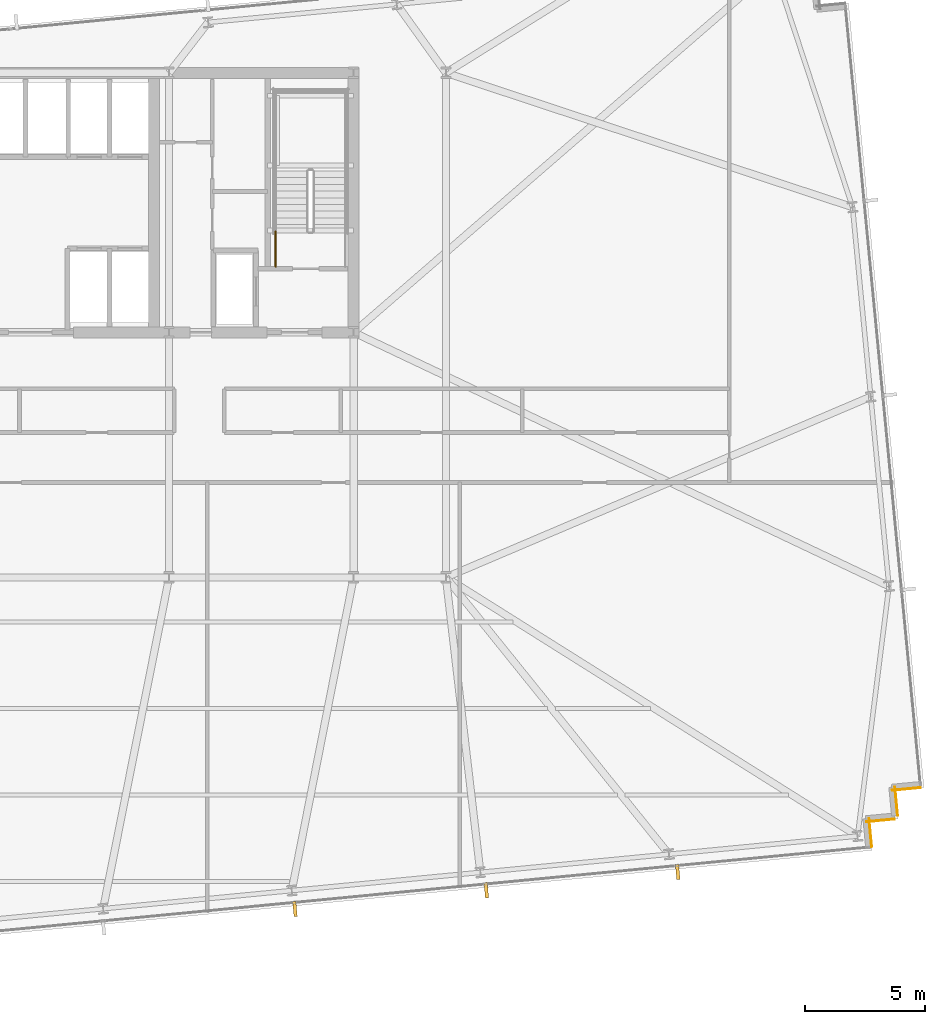
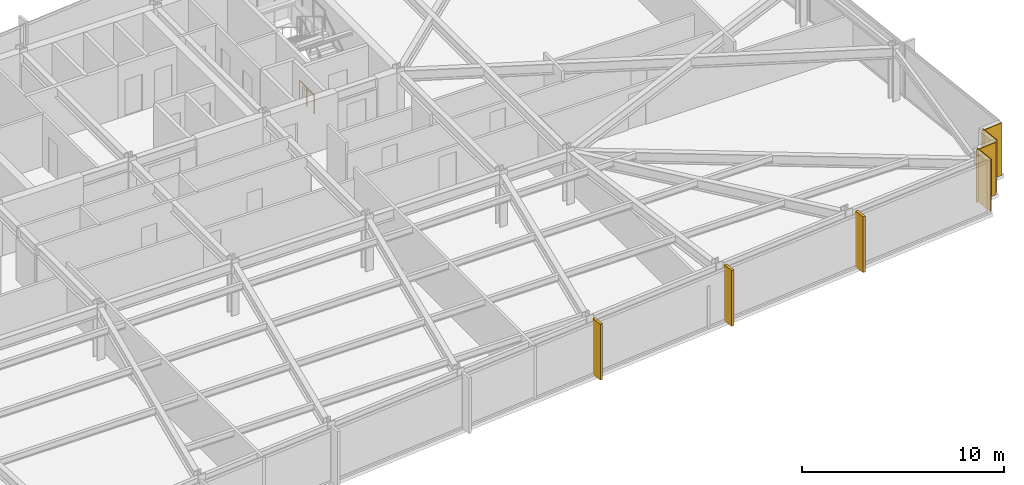
# One storey, part 29 of 32: 4 coverings, 3 shading devices, 1 railing.
"""IFC4 building model written with IfcOpenShell, lengths in metres."""

from ifc_helpers import new_model, si_unit, direction, frame, frame_2d, origin, origin_2d, place, context, subcontext, project, spatial, rectangle, circle, extrude, material, layer, layer_set, type_object, element, save


model = new_model("IFC4")

# Units and contexts
model_context = context("Model", 3, precision=1e-05, world=origin(), true_north=direction((0.0, 1.0)))
body_context = subcontext(model_context, "Body", "Model", "MODEL_VIEW")
ifc_project = project(units=[si_unit("LENGTHUNIT", "METRE"), si_unit("AREAUNIT", "SQUARE_METRE"), si_unit("VOLUMEUNIT", "CUBIC_METRE"), si_unit("PLANEANGLEUNIT", "RADIAN"), si_unit("MASSUNIT", "GRAM", prefix="KILO")], contexts=[model_context])

# Site, building, storey
site_placement = place(None, origin())
site = spatial("IfcSite", under=ifc_project, at=site_placement, CompositionType="ELEMENT")
building_placement = place(site_placement, origin())
building = spatial("IfcBuilding", under=site, at=building_placement, Name="Yelkora Congress Tower", CompositionType="ELEMENT")
storey_placement = place(building_placement, frame((0.0, 0.0, 116.89990234375)))
storey = spatial("IfcBuildingStorey", under=building, at=storey_placement, Name="L31", CompositionType="ELEMENT", Elevation=116.89990234375)

# Coverings
ifc_material_1 = material(Name="Anatolian bush-hammered limestone", Category="masonry")
ifc_layer_1 = layer(ifc_material_1, 0.0400390625)
ifc_layer_set_1 = layer_set([ifc_layer_1], Name="Anatolian bush-hammered limestone")
covering_type = type_object("IfcCoveringType", Name="COV-CLAD-SPANDREL-40", PredefinedType="CLADDING", material=ifc_layer_set_1)
for number, where, z_axis, x_axis, name in (
    (1, (77.360595703125, 16.451416015625, 0.0), (0.0, 0.0, 1.0), (-0.995377661201, -0.096038073607, 0.0), "L31 Anatolian Limestone Cladding EW-L31-SR16"),
    (2, (76.28759765625, 16.483642578125, 0.0), (0.0, 0.0, 1.0), (0.095836473879, -0.995397091755, 0.0), "L31 Anatolian Limestone Cladding EW-L31-SR17"),
    (3, (76.28125, 15.141845703125, 0.0), (0.0, 0.0, 1.0), (-0.995397091755, -0.095836473879, 0.0), "L31 Anatolian Limestone Cladding EW-L31-SR18"),
):
    element("IfcCovering", number, at=place(storey_placement, frame(where, z_axis=z_axis, x_axis=x_axis)), inside=storey, type_object=covering_type, Name=name, PredefinedType="CLADDING", context=body_context, shape_type="SweptSolid", body=[
        extrude(rectangle(XDim=1.199951171875, YDim=0.0400390625, at=frame_2d((0.60009765625, 0.0))), origin(), (0.0, 0.0, 1.0), 3.18017578125),
    ])
covering_placement = place(storey_placement, frame((75.208251953125, 15.17431640625, 0.0), z_axis=(0.0, 0.0, 1.0), x_axis=(0.095817067274, -0.995398960025, 0.0)))
element("IfcCovering", 4, at=covering_placement, inside=storey, type_object=covering_type, Name="L31 Anatolian Limestone Cladding EW-L31-SR19", PredefinedType="CLADDING", context=body_context, shape_type="SweptSolid", body=[
    extrude(rectangle(XDim=1.2001953125, YDim=0.0400390625, at=frame_2d((0.60009765625, 0.0))), origin(), (0.0, 0.0, 1.0), 3.18017578125),
])

# Railing
ifc_material_2 = material(Name="Painted galvanised steel stair well guard with vertical infill", Category="steel")
ifc_layer_2 = layer(ifc_material_2, 0.06005859375)
ifc_layer_set_2 = layer_set([ifc_layer_2], Name="Painted galvanised steel stair well guard with vertical infill")
railing_type = type_object("IfcRailingType", Name="RAIL-STAIR-GUARD-1120", PredefinedType="GUARDRAIL", material=ifc_layer_set_2)
railing_placement = place(storey_placement, frame((50.510009765625, 38.1201171875, 0.0)))
element("IfcRailing", 5, at=railing_placement, inside=storey, type_object=railing_type, Name="ST-02 L31 Stair Well Guardrail 9", PredefinedType="GUARDRAIL", context=body_context, shape_type="SweptSolid", body=[
    extrude(circle(Radius=0.02392578125, at=origin_2d()), frame((0.0, 0.0, 1.09619140625), z_axis=(0.0, 1.0, 0.0), x_axis=(-1.0, 0.0, 0.0)), (0.0, 0.0, 1.0), 1.47998046875),
    extrude(circle(Radius=0.02099609375, at=origin_2d()), origin(), (0.0, 0.0, 1.0), 1.072021484375),
    extrude(circle(Radius=0.02099609375, at=origin_2d()), frame((0.0, 0.739990234375, 0.0)), (0.0, 0.0, 1.0), 1.072021484375),
    extrude(circle(Radius=0.02099609375, at=origin_2d()), frame((0.0, 1.47998046875, 0.0)), (0.0, 0.0, 1.0), 1.072021484375),
])

# Shading devices
ifc_material_3 = material(Name="Champagne anodised aluminium", Category="aluminium")
ifc_layer_3 = layer(ifc_material_3, 3.39990234375)
ifc_layer_set_3 = layer_set([ifc_layer_3], Name="Champagne anodised aluminium")
shading_device_type = type_object("IfcShadingDeviceType", Name="SHD-FIN-ALU-640", PredefinedType="USERDEFINED", material=ifc_layer_set_3)
for number, where, z_axis, x_axis, name in (
    (6, (67.247802734375, 12.94091796875, -0.02978515625), (0.0, 0.0, 1.0), (-0.995396198367, -0.09584575252, 0.0), "L31 Vertical Anodised Solar Fin 20-1"),
    (7, (59.28173828125, 12.173828125, -0.02978515625), (0.0, 0.0, 1.0), (-0.995396198367, -0.09584575252, 0.0), "L31 Vertical Anodised Solar Fin 20-2"),
    (8, (51.315673828125, 11.40673828125, -0.02978515625), (0.0, 0.0, 1.0), (-0.995396198367, -0.09584575252, 0.0), "L31 Vertical Anodised Solar Fin 20-3"),
):
    element("IfcShadingDevice", number, at=place(storey_placement, frame(where, z_axis=z_axis, x_axis=x_axis)), inside=storey, type_object=shading_device_type, Name=name, ObjectType="FIN", PredefinedType="USERDEFINED", context=body_context, shape_type="SweptSolid", body=[
        extrude(rectangle(XDim=0.139892578125, YDim=0.639892578125, at=origin_2d()), origin(), (0.0, 0.0, 1.0), 3.3798828125),
    ])

save(model, "model.ifc")
